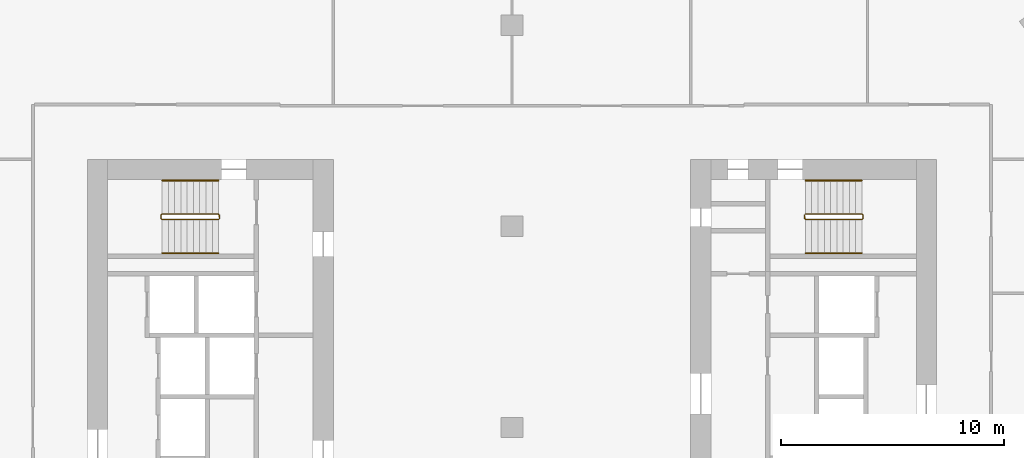
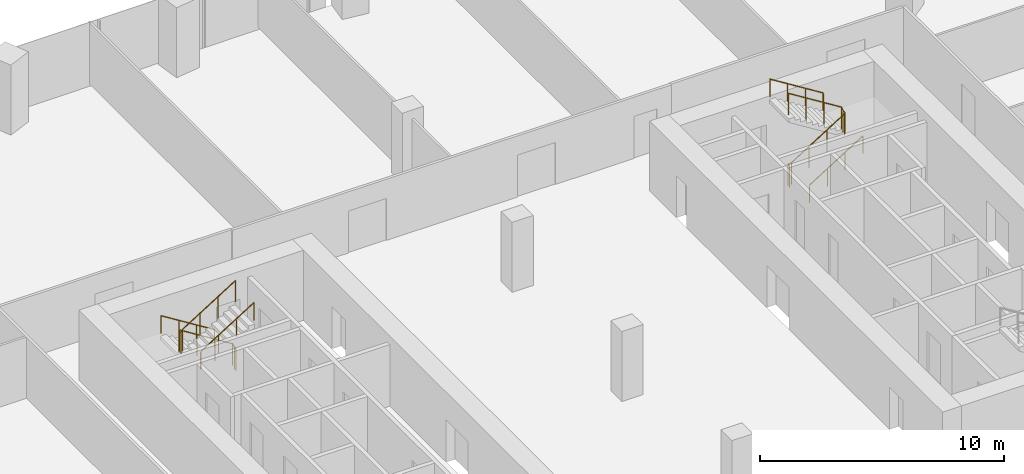
# One storey, part 26 of 27: 6 railings.
"""IFC4 building model written with IfcOpenShell, lengths in metres."""

from ifc_helpers import new_model, si_unit, direction, frame, origin, origin_2d, place, context, subcontext, project, spatial, circle, extrude, material, type_object, element, save


model = new_model("IFC4")

# Units and contexts
model_context = context("Model", 3, precision=1e-05, world=origin(), true_north=direction((0.0, 1.0)))
body_context = subcontext(model_context, "Body", "Model", "MODEL_VIEW")
ifc_project = project(units=[si_unit("LENGTHUNIT", "METRE"), si_unit("AREAUNIT", "SQUARE_METRE"), si_unit("VOLUMEUNIT", "CUBIC_METRE"), si_unit("PLANEANGLEUNIT", "RADIAN"), si_unit("MASSUNIT", "GRAM", prefix="KILO")], contexts=[model_context])

# Site, building, storey
site_placement = place(None, origin())
site = spatial("IfcSite", under=ifc_project, at=site_placement, CompositionType="ELEMENT")
building_placement = place(site_placement, origin())
building = spatial("IfcBuilding", under=site, at=building_placement, Name="Orlundy Tower", CompositionType="ELEMENT")
storey_placement = place(building_placement, frame((0.0, 0.0, 192.10009765625)))
storey = spatial("IfcBuildingStorey", under=building, at=storey_placement, Name="L50", CompositionType="ELEMENT", Elevation=192.10009765625)

# Railings
ifc_material_1 = material(Name="Steel balustrade", Category="steel")
railing_type_1 = type_object("IfcRailingType", Name="Stair Guard 1100", PredefinedType="GUARDRAIL", material=ifc_material_1)
railing_1_placement = place(storey_placement, frame((-13.090087890625, 9.5, 0.0)))
element("IfcRailing", 1, at=railing_1_placement, inside=storey, type_object=railing_type_1, Name="L50 ST-W1 stair guard 1", PredefinedType="GUARDRAIL", context=body_context, shape_type="SweptSolid", body=[
    extrude(circle(Radius=0.02392578125, at=origin_2d()), frame((0.0, 0.0, 1.076171875), z_axis=(0.0, -1.0, 0.0), x_axis=(1.0, 0.0, 0.0)), (0.0, 0.0, 1.0), 0.14990234375),
    extrude(circle(Radius=0.02392578125, at=origin_2d()), frame((0.0, -0.14990234375, 1.076171875), z_axis=(-0.184313129624, 0.739963005698, 0.646902945152), x_axis=(-0.970351222016, -0.241699205484, 0.0)), (0.0, 0.0, 1.0), 0.270263671875),
    extrude(circle(Radius=0.02392578125, at=origin_2d()), frame((-0.0498046875, 0.050048828125, 1.2509765625), z_axis=(-0.847970611238, 0.0, 0.530043245855), x_axis=(0.0, -1.0, 0.0)), (0.0, 0.0, 1.0), 2.971923828125),
    extrude(circle(Radius=0.02392578125, at=origin_2d()), frame((-2.56982421875, 0.050048828125, 2.826171875), z_axis=(-0.707106781187, -0.707106781187, 0.0), x_axis=(0.707106781187, -0.707106781187, 0.0)), (0.0, 0.0, 1.0), 0.07080078125),
    extrude(circle(Radius=0.02392578125, at=origin_2d()), frame((-2.619873046875, 0.0, 2.826171875), z_axis=(0.0, -1.0, 0.0), x_axis=(1.0, 0.0, 0.0)), (0.0, 0.0, 1.0), 0.14990234375),
    extrude(circle(Radius=0.02392578125, at=origin_2d()), frame((-2.619873046875, -0.14990234375, 2.826171875), z_axis=(0.265383341853, -0.265383341853, 0.926899867156), x_axis=(0.707106781187, 0.707106781187, 0.0)), (0.0, 0.0, 1.0), 0.1884765625),
    extrude(circle(Radius=0.02392578125, at=origin_2d()), frame((-2.56982421875, -0.199951171875, 3.0009765625), z_axis=(0.847970611238, 0.0, 0.530043245855), x_axis=(0.0, 1.0, 0.0)), (0.0, 0.0, 1.0), 2.971923828125),
    extrude(circle(Radius=0.02099609375, at=origin_2d()), origin(), (0.0, 0.0, 1.0), 1.052001953125),
    extrude(circle(Radius=0.02099609375, at=origin_2d()), frame((0.0, -0.14990234375, 0.0)), (0.0, 0.0, 1.0), 1.052001953125),
    extrude(circle(Radius=0.02099609375, at=origin_2d()), frame((-0.0498046875, 0.050048828125, 0.1748046875)), (0.0, 0.0, 1.0), 1.052001953125),
    extrude(circle(Radius=0.02099609375, at=origin_2d()), frame((-0.889892578125, 0.050048828125, 0.699951171875)), (0.0, 0.0, 1.0), 1.052001953125),
    extrude(circle(Radius=0.02099609375, at=origin_2d()), frame((-1.729736328125, 0.050048828125, 1.224853515625)), (0.0, 0.0, 1.0), 1.052001953125),
    extrude(circle(Radius=0.02099609375, at=origin_2d()), frame((-2.56982421875, 0.050048828125, 1.75)), (0.0, 0.0, 1.0), 1.052001953125),
    extrude(circle(Radius=0.02099609375, at=origin_2d()), frame((-2.619873046875, 0.0, 1.75)), (0.0, 0.0, 1.0), 1.052001953125),
    extrude(circle(Radius=0.02099609375, at=origin_2d()), frame((-2.619873046875, -0.14990234375, 1.75)), (0.0, 0.0, 1.0), 1.052001953125),
    extrude(circle(Radius=0.02099609375, at=origin_2d()), frame((-2.56982421875, -0.199951171875, 1.9248046875)), (0.0, 0.0, 1.0), 1.052001953125),
    extrude(circle(Radius=0.02099609375, at=origin_2d()), frame((-1.729736328125, -0.199951171875, 2.449951171875)), (0.0, 0.0, 1.0), 1.052001953125),
    extrude(circle(Radius=0.02099609375, at=origin_2d()), frame((-0.889892578125, -0.199951171875, 2.974853515625)), (0.0, 0.0, 1.0), 1.052001953125),
    extrude(circle(Radius=0.02099609375, at=origin_2d()), frame((-0.0498046875, -0.199951171875, 3.5)), (0.0, 0.0, 1.0), 1.052001953125),
])
railing_2_placement = place(storey_placement, frame((13.090087890625, 9.35009765625, 0.0)))
element("IfcRailing", 2, at=railing_2_placement, inside=storey, type_object=railing_type_1, Name="L50 ST-E2 stair guard 1", PredefinedType="GUARDRAIL", context=body_context, shape_type="SweptSolid", body=[
    extrude(circle(Radius=0.02392578125, at=origin_2d()), frame((0.0, 0.0, 1.076171875), z_axis=(0.0, 1.0, 0.0), x_axis=(-1.0, 0.0, 0.0)), (0.0, 0.0, 1.0), 0.14990234375),
    extrude(circle(Radius=0.02392578125, at=origin_2d()), frame((0.0, 0.14990234375, 1.076171875), z_axis=(0.184313129624, -0.739963005698, 0.646902945152), x_axis=(0.970351222016, 0.241699205484, 0.0)), (0.0, 0.0, 1.0), 0.270263671875),
    extrude(circle(Radius=0.02392578125, at=origin_2d()), frame((0.0498046875, -0.050048828125, 1.2509765625), z_axis=(0.847970611238, 0.0, 0.530043245855), x_axis=(0.0, 1.0, 0.0)), (0.0, 0.0, 1.0), 2.971923828125),
    extrude(circle(Radius=0.02392578125, at=origin_2d()), frame((2.56982421875, -0.050048828125, 2.826171875), z_axis=(0.707106781187, 0.707106781187, 0.0), x_axis=(-0.707106781187, 0.707106781187, 0.0)), (0.0, 0.0, 1.0), 0.07080078125),
    extrude(circle(Radius=0.02392578125, at=origin_2d()), frame((2.619873046875, 0.0, 2.826171875), z_axis=(0.0, 1.0, 0.0), x_axis=(-1.0, 0.0, 0.0)), (0.0, 0.0, 1.0), 0.14990234375),
    extrude(circle(Radius=0.02392578125, at=origin_2d()), frame((2.619873046875, 0.14990234375, 2.826171875), z_axis=(-0.265383341853, 0.265383341853, 0.926899867156), x_axis=(-0.707106781187, -0.707106781187, 0.0)), (0.0, 0.0, 1.0), 0.1884765625),
    extrude(circle(Radius=0.02392578125, at=origin_2d()), frame((2.56982421875, 0.199951171875, 3.0009765625), z_axis=(-0.847970611238, 0.0, 0.530043245855), x_axis=(0.0, -1.0, 0.0)), (0.0, 0.0, 1.0), 2.971923828125),
    extrude(circle(Radius=0.02099609375, at=origin_2d()), origin(), (0.0, 0.0, 1.0), 1.052001953125),
    extrude(circle(Radius=0.02099609375, at=origin_2d()), frame((0.0, 0.14990234375, 0.0)), (0.0, 0.0, 1.0), 1.052001953125),
    extrude(circle(Radius=0.02099609375, at=origin_2d()), frame((0.0498046875, -0.050048828125, 0.1748046875)), (0.0, 0.0, 1.0), 1.052001953125),
    extrude(circle(Radius=0.02099609375, at=origin_2d()), frame((0.889892578125, -0.050048828125, 0.699951171875)), (0.0, 0.0, 1.0), 1.052001953125),
    extrude(circle(Radius=0.02099609375, at=origin_2d()), frame((1.729736328125, -0.050048828125, 1.224853515625)), (0.0, 0.0, 1.0), 1.052001953125),
    extrude(circle(Radius=0.02099609375, at=origin_2d()), frame((2.56982421875, -0.050048828125, 1.75)), (0.0, 0.0, 1.0), 1.052001953125),
    extrude(circle(Radius=0.02099609375, at=origin_2d()), frame((2.619873046875, 0.0, 1.75)), (0.0, 0.0, 1.0), 1.052001953125),
    extrude(circle(Radius=0.02099609375, at=origin_2d()), frame((2.619873046875, 0.14990234375, 1.75)), (0.0, 0.0, 1.0), 1.052001953125),
    extrude(circle(Radius=0.02099609375, at=origin_2d()), frame((2.56982421875, 0.199951171875, 1.9248046875)), (0.0, 0.0, 1.0), 1.052001953125),
    extrude(circle(Radius=0.02099609375, at=origin_2d()), frame((1.729736328125, 0.199951171875, 2.449951171875)), (0.0, 0.0, 1.0), 1.052001953125),
    extrude(circle(Radius=0.02099609375, at=origin_2d()), frame((0.889892578125, 0.199951171875, 2.974853515625)), (0.0, 0.0, 1.0), 1.052001953125),
    extrude(circle(Radius=0.02099609375, at=origin_2d()), frame((0.0498046875, 0.199951171875, 3.5)), (0.0, 0.0, 1.0), 1.052001953125),
])
ifc_material_2 = material(Name="Steel handrail", Category="steel")
railing_type_2 = type_object("IfcRailingType", Name="Stair Handrail 900", PredefinedType="HANDRAIL", material=ifc_material_2)
railing_3_placement = place(storey_placement, frame((-13.139892578125, 11.050048828125, 0.1748046875)))
element("IfcRailing", 3, at=railing_3_placement, inside=storey, type_object=railing_type_2, Name="L50 ST-W1 stair handrail 1", PredefinedType="HANDRAIL", context=body_context, shape_type="SweptSolid", body=[
    extrude(circle(Radius=0.02392578125, at=origin_2d()), frame((0.0, 0.0, 0.8759765625), z_axis=(-0.847970611238, 0.0, 0.530043245855), x_axis=(0.0, -1.0, 0.0)), (0.0, 0.0, 1.0), 2.971923828125),
    extrude(circle(Radius=0.02099609375, at=origin_2d()), origin(), (0.0, 0.0, 1.0), 0.851806640625),
    extrude(circle(Radius=0.02099609375, at=origin_2d()), frame((-0.840087890625, 0.0, 0.525146484375)), (0.0, 0.0, 1.0), 0.851806640625),
    extrude(circle(Radius=0.02099609375, at=origin_2d()), frame((-1.679931640625, 0.0, 1.050048828125)), (0.0, 0.0, 1.0), 0.851806640625),
    extrude(circle(Radius=0.02099609375, at=origin_2d()), frame((-2.52001953125, 0.0, 1.5751953125)), (0.0, 0.0, 1.0), 0.851806640625),
])
for number, where, name in (
    (4, (-15.659912109375, 7.800048828125, 1.9248046875), "L50 ST-W1 stair handrail 2"),
    (5, (13.139892578125, 7.800048828125, 0.1748046875), "L50 ST-E2 stair handrail 1"),
):
    element("IfcRailing", number, at=place(storey_placement, frame(where)), inside=storey, type_object=railing_type_2, Name=name, PredefinedType="HANDRAIL", context=body_context, shape_type="SweptSolid", body=[
        extrude(circle(Radius=0.02392578125, at=origin_2d()), frame((0.0, 0.0, 0.8759765625), z_axis=(0.847970611238, 0.0, 0.530043245855), x_axis=(0.0, 1.0, 0.0)), (0.0, 0.0, 1.0), 2.971923828125),
        extrude(circle(Radius=0.02099609375, at=origin_2d()), origin(), (0.0, 0.0, 1.0), 0.851806640625),
        extrude(circle(Radius=0.02099609375, at=origin_2d()), frame((0.840087890625, 0.0, 0.525146484375)), (0.0, 0.0, 1.0), 0.851806640625),
        extrude(circle(Radius=0.02099609375, at=origin_2d()), frame((1.679931640625, 0.0, 1.050048828125)), (0.0, 0.0, 1.0), 0.851806640625),
        extrude(circle(Radius=0.02099609375, at=origin_2d()), frame((2.52001953125, 0.0, 1.5751953125)), (0.0, 0.0, 1.0), 0.851806640625),
    ])
railing_4_placement = place(storey_placement, frame((15.659912109375, 11.050048828125, 1.9248046875)))
element("IfcRailing", 6, at=railing_4_placement, inside=storey, type_object=railing_type_2, Name="L50 ST-E2 stair handrail 2", PredefinedType="HANDRAIL", context=body_context, shape_type="SweptSolid", body=[
    extrude(circle(Radius=0.02392578125, at=origin_2d()), frame((0.0, 0.0, 0.8759765625), z_axis=(-0.847970611238, 0.0, 0.530043245855), x_axis=(0.0, -1.0, 0.0)), (0.0, 0.0, 1.0), 2.971923828125),
    extrude(circle(Radius=0.02099609375, at=origin_2d()), origin(), (0.0, 0.0, 1.0), 0.851806640625),
    extrude(circle(Radius=0.02099609375, at=origin_2d()), frame((-0.840087890625, 0.0, 0.525146484375)), (0.0, 0.0, 1.0), 0.851806640625),
    extrude(circle(Radius=0.02099609375, at=origin_2d()), frame((-1.679931640625, 0.0, 1.050048828125)), (0.0, 0.0, 1.0), 0.851806640625),
    extrude(circle(Radius=0.02099609375, at=origin_2d()), frame((-2.52001953125, 0.0, 1.5751953125)), (0.0, 0.0, 1.0), 0.851806640625),
])

save(model, "model.ifc")
